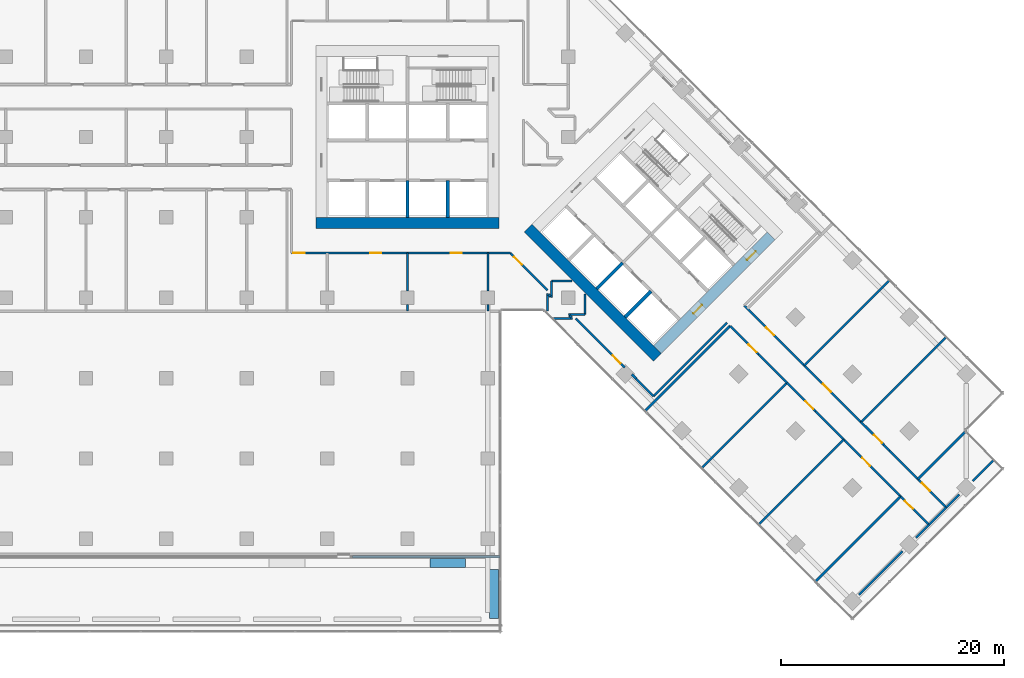
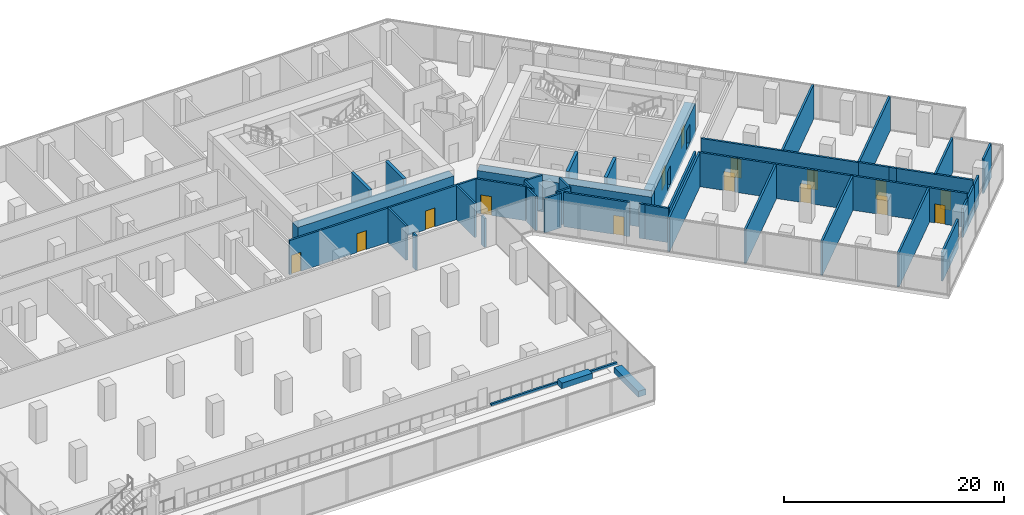
# One storey, part 21 of 27: 49 walls, 15 doors, 15 openings.
"""IFC4 building model written with IfcOpenShell, lengths in metres."""

from ifc_helpers import new_model, si_unit, direction, frame, frame_2d, origin, place, context, subcontext, project, spatial, polyline, rectangle, outline, extrude, material, layer, layer_set, type_object, element, fill, save


model = new_model("IFC4")

# Units and contexts
model_context = context("Model", 3, precision=1e-05, world=origin(), true_north=direction((0.0, 1.0)))
body_context = subcontext(model_context, "Body", "Model", "MODEL_VIEW")
ifc_project = project(units=[si_unit("LENGTHUNIT", "METRE"), si_unit("AREAUNIT", "SQUARE_METRE"), si_unit("VOLUMEUNIT", "CUBIC_METRE"), si_unit("PLANEANGLEUNIT", "RADIAN"), si_unit("MASSUNIT", "GRAM", prefix="KILO")], contexts=[model_context])

# Site, building, storey
site_placement = place(None, origin())
site = spatial("IfcSite", under=ifc_project, at=site_placement, CompositionType="ELEMENT")
building_placement = place(site_placement, origin())
building = spatial("IfcBuilding", under=site, at=building_placement, Name="Windrow Commons", CompositionType="ELEMENT")
storey_placement = place(building_placement, frame((0.0, 0.0, 6.0)))
storey = spatial("IfcBuildingStorey", under=building, at=storey_placement, Name="L01", CompositionType="ELEMENT", Elevation=6.0)

# Wall, openings, doors
ifc_material_1 = material(Name="Blockwork partition", Category="masonry")
ifc_layer_1 = layer(ifc_material_1, 0.2)
ifc_layer_set_1 = layer_set([ifc_layer_1], Name="IW-CORRIDOR-200")
wall_type_1 = type_object("IfcWallType", Name="IW-CORRIDOR-200", PredefinedType="PARTITIONING", material=ifc_layer_set_1)
wall_1_placement = place(storey_placement, frame((54.4, 47.2, 0.0), z_axis=(0.0, 0.0, 1.0), x_axis=(1.0, 0.0, 0.0)))
wall_1 = element("IfcWall", 1, at=wall_1_placement, inside=storey, type_object=wall_type_1, Name="W-L01-W007", PredefinedType="PARTITIONING", context=body_context, shape_type="SweptSolid", body=[
    extrude(rectangle(XDim=19.618, YDim=0.2, at=frame_2d((9.809, 0.0))), origin(), (0.0, 0.0, 1.0), 3.8),
])
opening_1_placement = place(wall_1_placement, frame((0.1783, 0.0, 0.0)))
opening_1 = element("IfcOpeningElement", 2, at=opening_1_placement, cuts=wall_1, Name="Opening D310F", PredefinedType="OPENING", context=body_context, shape_type="SweptSolid", body=[
    extrude(rectangle(XDim=1.0, YDim=2.1, at=frame_2d((0.5, 1.05))), frame((0.0, 0.11, 0.0), z_axis=(0.0, -1.0, 0.0), x_axis=(1.0, 0.0, 0.0)), (0.0, 0.0, 1.0), 0.22),
])
opening_2_placement = place(wall_1_placement, frame((7.0625, 0.0, 0.0)))
opening_2 = element("IfcOpeningElement", 3, at=opening_2_placement, cuts=wall_1, Name="Opening D310F", PredefinedType="OPENING", context=body_context, shape_type="SweptSolid", body=[
    extrude(rectangle(XDim=1.0, YDim=2.1, at=frame_2d((0.5, 1.05))), frame((0.0, 0.11, 0.0), z_axis=(0.0, -1.0, 0.0), x_axis=(1.0, 0.0, 0.0)), (0.0, 0.0, 1.0), 0.22),
])
opening_3_placement = place(wall_1_placement, frame((14.2625, 0.0, 0.0)))
opening_3 = element("IfcOpeningElement", 4, at=opening_3_placement, cuts=wall_1, Name="Opening D310F", PredefinedType="OPENING", context=body_context, shape_type="SweptSolid", body=[
    extrude(rectangle(XDim=1.0, YDim=2.1, at=frame_2d((0.5, 1.05))), frame((0.0, 0.11, 0.0), z_axis=(0.0, -1.0, 0.0), x_axis=(1.0, 0.0, 0.0)), (0.0, 0.0, 1.0), 0.22),
])
ifc_material_2 = material(Name="Timber door leaf", Category="wood")
door_type_1 = type_object("IfcDoorType", Name="DT-AMENITY-1000", OperationType="SINGLE_SWING_LEFT", PredefinedType="DOOR", material=ifc_material_2)
door_1_placement = place(opening_1_placement, origin())
door_1 = element("IfcDoor", 5, at=door_1_placement, inside=storey, type_object=door_type_1, Name="D-L01-D010", OperationType="SINGLE_SWING_RIGHT", OverallHeight=2.1, OverallWidth=1.0, PredefinedType="DOOR", context=body_context, shape_type="SweptSolid", body=[
    extrude(rectangle(XDim=1.0, YDim=2.1, at=frame_2d((0.5, 1.05))), frame((0.0, 0.025, 0.0), z_axis=(0.0, -1.0, 0.0), x_axis=(1.0, 0.0, 0.0)), (0.0, 0.0, 1.0), 0.05),
])
fill(opening_1, door_1)
door_2_placement = place(opening_2_placement, origin())
door_2 = element("IfcDoor", 6, at=door_2_placement, inside=storey, type_object=door_type_1, Name="D-L01-D011", OperationType="SINGLE_SWING_LEFT", OverallHeight=2.1, OverallWidth=1.0, PredefinedType="DOOR", context=body_context, shape_type="SweptSolid", body=[
    extrude(rectangle(XDim=1.0, YDim=2.1, at=frame_2d((0.5, 1.05))), frame((0.0, 0.025, 0.0), z_axis=(0.0, -1.0, 0.0), x_axis=(1.0, 0.0, 0.0)), (0.0, 0.0, 1.0), 0.05),
])
fill(opening_2, door_2)
door_3_placement = place(opening_3_placement, origin())
door_3 = element("IfcDoor", 7, at=door_3_placement, inside=storey, type_object=door_type_1, Name="D-L01-D012", OperationType="SINGLE_SWING_LEFT", OverallHeight=2.1, OverallWidth=1.0, PredefinedType="DOOR", context=body_context, shape_type="SweptSolid", body=[
    extrude(rectangle(XDim=1.0, YDim=2.1, at=frame_2d((0.5, 1.05))), frame((0.0, 0.025, 0.0), z_axis=(0.0, -1.0, 0.0), x_axis=(1.0, 0.0, 0.0)), (0.0, 0.0, 1.0), 0.05),
])
fill(opening_3, door_3)

wall_2_placement = place(storey_placement, frame((94.9669, 42.5089, 0.0), z_axis=(0.0, 0.0, 1.0), x_axis=(0.7071067812, -0.7071067812, 0.0)))
wall_2 = element("IfcWall", 8, at=wall_2_placement, inside=storey, type_object=wall_type_1, Name="W-L01-W008", PredefinedType="PARTITIONING", context=body_context, shape_type="SweptSolid", body=[
    extrude(rectangle(XDim=14.7983, YDim=0.2, at=frame_2d((7.3991, 0.0))), origin(), (0.0, 0.0, 1.0), 3.8),
])
opening_4_placement = place(wall_2_placement, frame((2.7715, 0.0, 0.0)))
opening_4 = element("IfcOpeningElement", 9, at=opening_4_placement, cuts=wall_2, Name="Opening D310F", PredefinedType="OPENING", context=body_context, shape_type="SweptSolid", body=[
    extrude(rectangle(XDim=1.0, YDim=2.1, at=frame_2d((0.5, 1.05))), frame((0.0, 0.11, 0.0), z_axis=(0.0, -1.0, 0.0), x_axis=(1.0, 0.0, 0.0)), (0.0, 0.0, 1.0), 0.22),
])
opening_5_placement = place(wall_2_placement, frame((9.9715, 0.0, 0.0)))
opening_5 = element("IfcOpeningElement", 10, at=opening_5_placement, cuts=wall_2, Name="Opening D310F", PredefinedType="OPENING", context=body_context, shape_type="SweptSolid", body=[
    extrude(rectangle(XDim=1.0, YDim=2.1, at=frame_2d((0.5, 1.05))), frame((0.0, 0.11, 0.0), z_axis=(0.0, -1.0, 0.0), x_axis=(1.0, 0.0, 0.0)), (0.0, 0.0, 1.0), 0.22),
])
door_4_placement = place(opening_4_placement, origin())
door_4 = element("IfcDoor", 11, at=door_4_placement, inside=storey, type_object=door_type_1, Name="D-L01-D043", OperationType="SINGLE_SWING_RIGHT", OverallHeight=2.1, OverallWidth=1.0, PredefinedType="DOOR", context=body_context, shape_type="SweptSolid", body=[
    extrude(rectangle(XDim=1.0, YDim=2.1, at=frame_2d((0.5, 1.05))), frame((0.0, 0.025, 0.0), z_axis=(0.0, -1.0, 0.0), x_axis=(1.0, 0.0, 0.0)), (0.0, 0.0, 1.0), 0.05),
])
fill(opening_4, door_4)
door_5_placement = place(opening_5_placement, origin())
door_5 = element("IfcDoor", 12, at=door_5_placement, inside=storey, type_object=door_type_1, Name="D-L01-D044", OperationType="SINGLE_SWING_RIGHT", OverallHeight=2.1, OverallWidth=1.0, PredefinedType="DOOR", context=body_context, shape_type="SweptSolid", body=[
    extrude(rectangle(XDim=1.0, YDim=2.1, at=frame_2d((0.5, 1.05))), frame((0.0, 0.025, 0.0), z_axis=(0.0, -1.0, 0.0), x_axis=(1.0, 0.0, 0.0)), (0.0, 0.0, 1.0), 0.05),
])
fill(opening_5, door_5)

# Wall, opening, door
wall_3_placement = place(storey_placement, frame((108.9733, 25.4053, 0.0), z_axis=(0.0, 0.0, 1.0), x_axis=(-0.7072456519, 0.7069678831, 0.0)))
wall_3 = element("IfcWall", 13, at=wall_3_placement, inside=storey, type_object=wall_type_1, Name="W-L01-W014", PredefinedType="PARTITIONING", context=body_context, shape_type="SweptSolid", body=[
    extrude(rectangle(XDim=10.8003, YDim=0.2, at=frame_2d((5.4002, 0.0))), origin(), (0.0, 0.0, 1.0), 3.8),
])
opening_6_placement = place(wall_3_placement, frame((3.8628, 0.0, 0.0)))
opening_6 = element("IfcOpeningElement", 14, at=opening_6_placement, cuts=wall_3, Name="Opening D310F", PredefinedType="OPENING", context=body_context, shape_type="SweptSolid", body=[
    extrude(rectangle(XDim=1.0, YDim=2.1, at=frame_2d((0.5, 1.05))), frame((0.0, 0.11, 0.0), z_axis=(0.0, -1.0, 0.0), x_axis=(1.0, 0.0, 0.0)), (0.0, 0.0, 1.0), 0.22),
])
door_6_placement = place(opening_6_placement, origin())
door_6 = element("IfcDoor", 15, at=door_6_placement, inside=storey, type_object=door_type_1, Name="D-L01-D049", OperationType="SINGLE_SWING_LEFT", OverallHeight=2.1, OverallWidth=1.0, PredefinedType="DOOR", context=body_context, shape_type="SweptSolid", body=[
    extrude(rectangle(XDim=1.0, YDim=2.1, at=frame_2d((0.5, 1.05))), frame((0.0, 0.025, 0.0), z_axis=(0.0, -1.0, 0.0), x_axis=(1.0, 0.0, 0.0)), (0.0, 0.0, 1.0), 0.05),
])
fill(opening_6, door_6)

# Wall
wall_4_placement = place(storey_placement, frame((86.8356, 34.3824, 0.0), z_axis=(0.0, 0.0, 1.0), x_axis=(0.7071067812, 0.7071067812, 0.0)))
element("IfcWall", 16, at=wall_4_placement, inside=storey, type_object=wall_type_1, Name="W-L01-W032", PredefinedType="PARTITIONING", context=body_context, shape_type="SweptSolid", body=[
    extrude(rectangle(XDim=9.2999, YDim=0.2, at=frame_2d((4.6499, 0.0))), origin(), (0.0, 0.0, 1.0), 3.8),
])

# Wall, opening, door
wall_5_placement = place(storey_placement, frame((107.9769, 29.4989, 0.0), z_axis=(0.0, 0.0, 1.0), x_axis=(0.7071067812, -0.7071067812, 0.0)))
wall_5 = element("IfcWall", 17, at=wall_5_placement, inside=storey, type_object=wall_type_1, Name="W-L01-W036", PredefinedType="PARTITIONING", context=body_context, shape_type="SweptSolid", body=[
    extrude(rectangle(XDim=7.1983, YDim=0.2, at=frame_2d((3.5991, 0.0))), origin(), (0.0, 0.0, 1.0), 3.8),
])
opening_7_placement = place(wall_5_placement, frame((4.1063, 0.0, 0.0)))
opening_7 = element("IfcOpeningElement", 18, at=opening_7_placement, cuts=wall_5, Name="Opening D310F", PredefinedType="OPENING", context=body_context, shape_type="SweptSolid", body=[
    extrude(rectangle(XDim=1.0, YDim=2.1, at=frame_2d((0.5, 1.05))), frame((0.0, 0.11, 0.0), z_axis=(0.0, -1.0, 0.0), x_axis=(1.0, 0.0, 0.0)), (0.0, 0.0, 1.0), 0.22),
])
door_7_placement = place(opening_7_placement, origin())
door_7 = element("IfcDoor", 19, at=door_7_placement, inside=storey, type_object=door_type_1, Name="D-L01-D051", OperationType="SINGLE_SWING_RIGHT", OverallHeight=2.1, OverallWidth=1.0, PredefinedType="DOOR", context=body_context, shape_type="SweptSolid", body=[
    extrude(rectangle(XDim=1.0, YDim=2.1, at=frame_2d((0.5, 1.05))), frame((0.0, 0.025, 0.0), z_axis=(0.0, -1.0, 0.0), x_axis=(1.0, 0.0, 0.0)), (0.0, 0.0, 1.0), 0.05),
])
fill(opening_7, door_7)

wall_6_placement = place(storey_placement, frame((79.8651, 41.3471, 0.0), z_axis=(0.0, 0.0, 1.0), x_axis=(0.7071067812, -0.7071067812, 0.0)))
wall_6 = element("IfcWall", 20, at=wall_6_placement, inside=storey, type_object=wall_type_1, Name="W-L01-W039", PredefinedType="PARTITIONING", context=body_context, shape_type="SweptSolid", body=[
    extrude(rectangle(XDim=6.2056, YDim=0.2, at=frame_2d((3.1028, 0.0))), origin(), (0.0, 0.0, 1.0), 3.8),
])
opening_8_placement = place(wall_6_placement, frame((4.6916, 0.0, 0.0)))
opening_8 = element("IfcOpeningElement", 21, at=opening_8_placement, cuts=wall_6, Name="Opening D310F", PredefinedType="OPENING", context=body_context, shape_type="SweptSolid", body=[
    extrude(rectangle(XDim=1.0, YDim=2.1, at=frame_2d((0.5, 1.05))), frame((0.0, 0.11, 0.0), z_axis=(0.0, -1.0, 0.0), x_axis=(1.0, 0.0, 0.0)), (0.0, 0.0, 1.0), 0.22),
])
door_8_placement = place(opening_8_placement, origin())
door_8 = element("IfcDoor", 22, at=door_8_placement, inside=storey, type_object=door_type_1, Name="D-L01-D046", OperationType="SINGLE_SWING_RIGHT", OverallHeight=2.1, OverallWidth=1.0, PredefinedType="DOOR", context=body_context, shape_type="SweptSolid", body=[
    extrude(rectangle(XDim=1.0, YDim=2.1, at=frame_2d((0.5, 1.05))), frame((0.0, 0.025, 0.0), z_axis=(0.0, -1.0, 0.0), x_axis=(1.0, 0.0, 0.0)), (0.0, 0.0, 1.0), 0.05),
])
fill(opening_8, door_8)

wall_7_placement = place(storey_placement, frame((74.0151, 47.1971, 0.0), z_axis=(0.0, 0.0, 1.0), x_axis=(0.7071067812, -0.7071067812, 0.0)))
wall_7 = element("IfcWall", 23, at=wall_7_placement, inside=storey, type_object=wall_type_1, Name="W-L01-W057", PredefinedType="PARTITIONING", context=body_context, shape_type="SweptSolid", body=[
    extrude(rectangle(XDim=4.7122, YDim=0.2, at=frame_2d((2.3561, 0.0))), origin(), (0.0, 0.0, 1.0), 3.8),
])
opening_9_placement = place(wall_7_placement, frame((0.4676, 0.0, 0.0)))
opening_9 = element("IfcOpeningElement", 24, at=opening_9_placement, cuts=wall_7, Name="Opening D310F", PredefinedType="OPENING", context=body_context, shape_type="SweptSolid", body=[
    extrude(rectangle(XDim=1.0, YDim=2.1, at=frame_2d((0.5, 1.05))), frame((0.0, 0.11, 0.0), z_axis=(0.0, -1.0, 0.0), x_axis=(1.0, 0.0, 0.0)), (0.0, 0.0, 1.0), 0.22),
])
door_9_placement = place(opening_9_placement, origin())
door_9 = element("IfcDoor", 25, at=door_9_placement, inside=storey, type_object=door_type_1, Name="D-L01-D013", OperationType="SINGLE_SWING_LEFT", OverallHeight=2.1, OverallWidth=1.0, PredefinedType="DOOR", context=body_context, shape_type="SweptSolid", body=[
    extrude(rectangle(XDim=1.0, YDim=2.1, at=frame_2d((0.5, 1.05))), frame((0.0, 0.025, 0.0), z_axis=(0.0, -1.0, 0.0), x_axis=(1.0, 0.0, 0.0)), (0.0, 0.0, 1.0), 0.05),
])
fill(opening_9, door_9)

wall_8_placement = place(storey_placement, frame((93.6993, 40.6793, 0.0), z_axis=(0.0, 0.0, 1.0), x_axis=(0.7071067812, -0.7071067812, 0.0)))
wall_8 = element("IfcWall", 26, at=wall_8_placement, inside=storey, type_object=wall_type_1, Name="W-L01-W060", PredefinedType="PARTITIONING", context=body_context, shape_type="SweptSolid", body=[
    extrude(rectangle(XDim=3.6006, YDim=0.2, at=frame_2d((1.8003, 0.0))), origin(), (0.0, 0.0, 1.0), 3.8),
])
opening_10_placement = place(wall_8_placement, frame((2.3379, 0.0, 0.0)))
opening_10 = element("IfcOpeningElement", 27, at=opening_10_placement, cuts=wall_8, Name="Opening D310F", PredefinedType="OPENING", context=body_context, shape_type="SweptSolid", body=[
    extrude(rectangle(XDim=1.0, YDim=2.1, at=frame_2d((0.5, 1.05))), frame((0.0, 0.11, 0.0), z_axis=(0.0, -1.0, 0.0), x_axis=(1.0, 0.0, 0.0)), (0.0, 0.0, 1.0), 0.22),
])
door_10_placement = place(opening_10_placement, origin())
door_10 = element("IfcDoor", 28, at=door_10_placement, inside=storey, type_object=door_type_1, Name="D-L01-D047", OperationType="SINGLE_SWING_LEFT", OverallHeight=2.1, OverallWidth=1.0, PredefinedType="DOOR", context=body_context, shape_type="SweptSolid", body=[
    extrude(rectangle(XDim=1.0, YDim=2.1, at=frame_2d((0.5, 1.05))), frame((0.0, 0.025, 0.0), z_axis=(0.0, -1.0, 0.0), x_axis=(1.0, 0.0, 0.0)), (0.0, 0.0, 1.0), 0.05),
])
fill(opening_10, door_10)

wall_9_placement = place(storey_placement, frame((98.7832, 35.5812, 0.0), z_axis=(0.0, 0.0, 1.0), x_axis=(0.7071067812, -0.7071067812, 0.0)))
wall_9 = element("IfcWall", 29, at=wall_9_placement, inside=storey, type_object=wall_type_1, Name="W-L01-W061", PredefinedType="PARTITIONING", context=body_context, shape_type="SweptSolid", body=[
    extrude(rectangle(XDim=3.6006, YDim=0.2, at=frame_2d((1.8003, 0.0))), origin(), (0.0, 0.0, 1.0), 3.8),
])
opening_11_placement = place(wall_9_placement, frame((2.3381, 0.0, 0.0)))
opening_11 = element("IfcOpeningElement", 30, at=opening_11_placement, cuts=wall_9, Name="Opening D310F", PredefinedType="OPENING", context=body_context, shape_type="SweptSolid", body=[
    extrude(rectangle(XDim=1.0, YDim=2.1, at=frame_2d((0.5, 1.05))), frame((0.0, 0.11, 0.0), z_axis=(0.0, -1.0, 0.0), x_axis=(1.0, 0.0, 0.0)), (0.0, 0.0, 1.0), 0.22),
])
door_11_placement = place(opening_11_placement, origin())
door_11 = element("IfcDoor", 31, at=door_11_placement, inside=storey, type_object=door_type_1, Name="D-L01-D048", OperationType="SINGLE_SWING_LEFT", OverallHeight=2.1, OverallWidth=1.0, PredefinedType="DOOR", context=body_context, shape_type="SweptSolid", body=[
    extrude(rectangle(XDim=1.0, YDim=2.1, at=frame_2d((0.5, 1.05))), frame((0.0, 0.025, 0.0), z_axis=(0.0, -1.0, 0.0), x_axis=(1.0, 0.0, 0.0)), (0.0, 0.0, 1.0), 0.05),
])
fill(opening_11, door_11)

wall_10_placement = place(storey_placement, frame((108.971, 25.403, 0.0), z_axis=(0.0, 0.0, 1.0), x_axis=(0.7068288851, -0.7073845681, 0.0)))
wall_10 = element("IfcWall", 32, at=wall_10_placement, inside=storey, type_object=wall_type_1, Name="W-L01-W062", PredefinedType="PARTITIONING", context=body_context, shape_type="SweptSolid", body=[
    extrude(rectangle(XDim=3.5992, YDim=0.2, at=frame_2d((1.7996, 0.0))), origin(), (0.0, 0.0, 1.0), 3.8),
])
opening_12_placement = place(wall_10_placement, frame((0.5672, 0.0, 0.0)))
opening_12 = element("IfcOpeningElement", 33, at=opening_12_placement, cuts=wall_10, Name="Opening D310F", PredefinedType="OPENING", context=body_context, shape_type="SweptSolid", body=[
    extrude(rectangle(XDim=1.0, YDim=2.1, at=frame_2d((0.5, 1.05))), frame((0.0, 0.11, 0.0), z_axis=(0.0, -1.0, 0.0), x_axis=(1.0, 0.0, 0.0)), (0.0, 0.0, 1.0), 0.22),
])
door_12_placement = place(opening_12_placement, origin())
door_12 = element("IfcDoor", 34, at=door_12_placement, inside=storey, type_object=door_type_1, Name="D-L01-D050", OperationType="SINGLE_SWING_LEFT", OverallHeight=2.1, OverallWidth=1.0, PredefinedType="DOOR", context=body_context, shape_type="SweptSolid", body=[
    extrude(rectangle(XDim=1.0, YDim=2.1, at=frame_2d((0.5, 1.05))), frame((0.0, 0.025, 0.0), z_axis=(0.0, -1.0, 0.0), x_axis=(1.0, 0.0, 0.0)), (0.0, 0.0, 1.0), 0.05),
])
fill(opening_12, door_12)

# Wall
wall_11_placement = place(storey_placement, frame((96.2409, 38.1289, 0.0), z_axis=(0.0, 0.0, 1.0), x_axis=(0.7068288851, -0.7073845681, 0.0)))
element("IfcWall", 35, at=wall_11_placement, inside=storey, type_object=wall_type_1, Name="W-L01-W063", PredefinedType="PARTITIONING", context=body_context, shape_type="SweptSolid", body=[
    extrude(rectangle(XDim=3.5992, YDim=0.2, at=frame_2d((1.7996, 0.0))), origin(), (0.0, 0.0, 1.0), 3.8),
])

# Wall, opening, door
wall_12_placement = place(storey_placement, frame((105.4348, 32.0488, 0.0), z_axis=(0.0, 0.0, 1.0), x_axis=(0.7074545101, -0.7067588812, 0.0)))
wall_12 = element("IfcWall", 36, at=wall_12_placement, inside=storey, type_object=wall_type_1, Name="W-L01-W074", PredefinedType="PARTITIONING", context=body_context, shape_type="SweptSolid", body=[
    extrude(rectangle(XDim=2.8751, YDim=0.2, at=frame_2d((1.4376, 0.0))), origin(), (0.0, 0.0, 1.0), 3.8),
])
opening_13_placement = place(wall_12_placement, frame((1.6169, 0.0, 0.0)))
opening_13 = element("IfcOpeningElement", 37, at=opening_13_placement, cuts=wall_12, Name="Opening D310F", PredefinedType="OPENING", context=body_context, shape_type="SweptSolid", body=[
    extrude(rectangle(XDim=1.0, YDim=2.1, at=frame_2d((0.5, 1.05))), frame((0.0, 0.11, 0.0), z_axis=(0.0, -1.0, 0.0), x_axis=(1.0, 0.0, 0.0)), (0.0, 0.0, 1.0), 0.22),
])
door_13_placement = place(opening_13_placement, origin())
door_13 = element("IfcDoor", 38, at=door_13_placement, inside=storey, type_object=door_type_1, Name="D-L01-D045", OperationType="SINGLE_SWING_RIGHT", OverallHeight=2.1, OverallWidth=1.0, PredefinedType="DOOR", context=body_context, shape_type="SweptSolid", body=[
    extrude(rectangle(XDim=1.0, YDim=2.1, at=frame_2d((0.5, 1.05))), frame((0.0, 0.025, 0.0), z_axis=(0.0, -1.0, 0.0), x_axis=(1.0, 0.0, 0.0)), (0.0, 0.0, 1.0), 0.05),
])
fill(opening_13, door_13)

# Walls
wall_13_placement = place(storey_placement, frame((111.5135, 22.8565, 0.0), z_axis=(0.0, 0.0, 1.0), x_axis=(0.7071067812, 0.7071067812, 0.0)))
element("IfcWall", 39, at=wall_13_placement, inside=storey, type_object=wall_type_1, Name="W-L01-W079", PredefinedType="PARTITIONING", context=body_context, shape_type="SweptSolid", body=[
    extrude(rectangle(XDim=2.2005, YDim=0.2, at=frame_2d((1.1002, 0.0))), origin(), (0.0, 0.0, 1.0), 3.2),
])
wall_14_placement = place(storey_placement, frame((85.2835, 35.9395, 0.0), z_axis=(0.0, 0.0, 1.0), x_axis=(0.706651904, -0.7075613659, 0.0)))
element("IfcWall", 40, at=wall_14_placement, inside=storey, type_object=wall_type_1, Name="W-L01-W082", PredefinedType="PARTITIONING", context=body_context, shape_type="SweptSolid", body=[
    extrude(rectangle(XDim=2.1991, YDim=0.2, at=frame_2d((1.0996, 0.0))), origin(), (0.0, 0.0, 1.0), 3.8),
])
for number, where, z_axis, x_axis, name in (
    (41, (77.702, 44.7, 0.0), (0.0, 0.0, 1.0), (1.0, 0.0, 0.0), "W-L01-W101"),
    (42, (80.7, 41.702, 0.0), (0.0, 0.0, 1.0), (0.0, 1.0, 0.0), "W-L01-W102"),
):
    element("IfcWall", number, at=place(storey_placement, frame(where, z_axis=z_axis, x_axis=x_axis)), inside=storey, type_object=wall_type_1, Name=name, PredefinedType="PARTITIONING", context=body_context, shape_type="SweptSolid", body=[
        extrude(rectangle(XDim=1.814, YDim=0.2, at=frame_2d((0.907, 0.0))), origin(), (0.0, 0.0, 1.0), 3.8),
    ])
for number, where, z_axis, x_axis, name in (
    (43, (77.7, 43.236, 0.0), (0.0, 0.0, 1.0), (0.0, 1.0, 0.0), "W-L01-W113"),
    (44, (79.236, 41.7, 0.0), (0.0, 0.0, 1.0), (1.0, 0.0, 0.0), "W-L01-W114"),
):
    element("IfcWall", number, at=place(storey_placement, frame(where, z_axis=z_axis, x_axis=x_axis)), inside=storey, type_object=wall_type_1, Name=name, PredefinedType="PARTITIONING", context=body_context, shape_type="SweptSolid", body=[
        extrude(rectangle(XDim=1.464, YDim=0.2, at=frame_2d((0.732, 0.0))), origin(), (0.0, 0.0, 1.0), 3.8),
    ])
wall_15_placement = place(storey_placement, frame((107.4663, 30.0143, 0.0), z_axis=(0.0, 0.0, 1.0), x_axis=(0.7057270646, -0.7084838109, 0.0)))
element("IfcWall", 45, at=wall_15_placement, inside=storey, type_object=wall_type_1, Name="W-L01-W120", PredefinedType="PARTITIONING", context=body_context, shape_type="SweptSolid", body=[
    extrude(rectangle(XDim=0.7255, YDim=0.2, at=frame_2d((0.3628, 0.0))), origin(), (0.0, 0.0, 1.0), 3.8),
])
wall_16_placement = place(storey_placement, frame((84.8952, 36.3312, 0.0), z_axis=(0.0, 0.0, 1.0), x_axis=(0.7071067812, -0.7071067812, 0.0)))
element("IfcWall", 46, at=wall_16_placement, inside=storey, type_object=wall_type_1, Name="W-L01-W141", PredefinedType="PARTITIONING", context=body_context, shape_type="SweptSolid", body=[
    extrude(rectangle(XDim=0.5515, YDim=0.2, at=frame_2d((0.2757, 0.0))), origin(), (0.0, 0.0, 1.0), 3.8),
])
for number, where, z_axis, x_axis, name in (
    (47, (79.3246, 41.6048, 0.0), (0.0, 0.0, 1.0), (0.7071067812, -0.7071067812, 0.0), "W-L01-W142"),
    (48, (77.4457, 43.4837, 0.0), (0.0, 0.0, 1.0), (0.7071067812, -0.7071067812, 0.0), "W-L01-W143"),
):
    element("IfcWall", number, at=place(storey_placement, frame(where, z_axis=z_axis, x_axis=x_axis)), inside=storey, type_object=wall_type_1, Name=name, PredefinedType="PARTITIONING", context=body_context, shape_type="SweptSolid", body=[
        extrude(rectangle(XDim=0.225, YDim=0.2, at=frame_2d((0.1125, 0.0))), origin(), (0.0, 0.0, 1.0), 3.8),
    ])
ifc_material_3 = material(Name="Blockwork partition", Category="masonry")
ifc_layer_2 = layer(ifc_material_3, 0.2)
ifc_layer_set_2 = layer_set([ifc_layer_2], Name="IW-PARTY-200")
wall_type_2 = type_object("IfcWallType", Name="IW-PARTY-200", PredefinedType="PARTITIONING", material=ifc_layer_set_2)
for number, where, z_axis, x_axis, name in (
    (49, (100.3416, 37.1404, 0.0), (0.0, 0.0, 1.0), (0.7071067812, 0.7071067812, 0.0), "W-L01-W015"),
    (50, (105.4328, 32.0492, 0.0), (0.0, 0.0, 1.0), (0.7071067812, 0.7071067812, 0.0), "W-L01-W016"),
    (51, (86.0794, 33.0606, 0.0), (0.0, 0.0, 1.0), (0.7071067812, 0.7071067812, 0.0), "W-L01-W017"),
    (52, (101.3529, 17.7871, 0.0), (0.0, 0.0, 1.0), (0.7071067812, 0.7071067812, 0.0), "W-L01-W018"),
    (53, (96.2608, 22.8772, 0.0), (0.0, 0.0, 1.0), (0.7071067812, 0.7071067812, 0.0), "W-L01-W019"),
    (54, (91.1696, 27.9684, 0.0), (0.0, 0.0, 1.0), (0.7071067812, 0.7071067812, 0.0), "W-L01-W020"),
):
    element("IfcWall", number, at=place(storey_placement, frame(where, z_axis=z_axis, x_axis=x_axis)), inside=storey, type_object=wall_type_2, Name=name, PredefinedType="PARTITIONING", context=body_context, shape_type="SweptSolid", body=[
        extrude(rectangle(XDim=10.7707, YDim=0.2, at=frame_2d((5.3853, 0.0))), origin(), (0.0, 0.0, 1.0), 3.8),
    ])
wall_17_placement = place(storey_placement, frame((110.5239, 26.9581, 0.0), z_axis=(0.0, 0.0, 1.0), x_axis=(0.7071067812, 0.7071067812, 0.0)))
element("IfcWall", 55, at=wall_17_placement, inside=storey, type_object=wall_type_2, Name="W-L01-W047", PredefinedType="PARTITIONING", context=body_context, shape_type="SweptSolid", body=[
    extrude(rectangle(XDim=5.9708, YDim=0.2, at=frame_2d((2.9854, 0.0))), origin(), (0.0, 0.0, 1.0), 3.8),
])
wall_18_placement = place(storey_placement, frame((105.2555, 16.5985, 0.0), z_axis=(0.0, 0.0, 1.0), x_axis=(0.7071067812, 0.7071067812, 0.0)))
element("IfcWall", 56, at=wall_18_placement, inside=storey, type_object=wall_type_2, Name="W-L01-W051", PredefinedType="PARTITIONING", context=body_context, shape_type="SweptSolid", body=[
    extrude(rectangle(XDim=5.5041, YDim=0.2, at=frame_2d((2.7521, 0.0))), origin(), (0.0, 0.0, 1.0), 3.2),
])
for number, where, z_axis, x_axis, name in (
    (57, (64.8, 43.8, 0.0), (0.0, 0.0, 1.0), (0.0, 1.0, 0.0), "W-L01-W066"),
    (58, (72.0, 43.8, 0.0), (0.0, 0.0, 1.0), (0.0, 1.0, 0.0), "W-L01-W067"),
):
    element("IfcWall", number, at=place(storey_placement, frame(where, z_axis=z_axis, x_axis=x_axis)), inside=storey, type_object=wall_type_2, Name=name, PredefinedType="PARTITIONING", context=body_context, shape_type="SweptSolid", body=[
        extrude(rectangle(XDim=3.4, YDim=0.2, at=frame_2d((1.7, 0.0))), origin(), (0.0, 0.0, 1.0), 3.8),
    ])
wall_19_placement = place(storey_placement, frame((115.4375, 26.7805, 0.0), z_axis=(0.0, 0.0, 1.0), x_axis=(0.7071067812, 0.7071067812, 0.0)))
element("IfcWall", 59, at=wall_19_placement, inside=storey, type_object=wall_type_2, Name="W-L01-W077", PredefinedType="PARTITIONING", context=body_context, shape_type="SweptSolid", body=[
    extrude(rectangle(XDim=2.622, YDim=0.2, at=frame_2d((1.311, 0.0))), origin(), (0.0, 0.0, 1.0), 3.8),
])
wall_20_placement = place(storey_placement, frame((77.79, 41.35, 0.0), z_axis=(0.0, 0.0, 1.0), x_axis=(1.0, 0.0, 0.0)))
element("IfcWall", 60, at=wall_20_placement, inside=storey, type_object=wall_type_2, Name="W-L01-W103", PredefinedType="PARTITIONING", context=body_context, shape_type="SweptSolid", body=[
    extrude(rectangle(XDim=1.796, YDim=0.2, at=frame_2d((0.898, 0.0))), origin(), (0.0, 0.0, 1.0), 3.8),
])
for number, where, z_axis, x_axis, name in (
    (61, (110.3455, 21.6885, 0.0), (0.0, 0.0, 1.0), (0.7071067812, 0.7071067812, 0.0), "W-L01-W106"),
    (62, (113.0695, 24.4125, 0.0), (0.0, 0.0, 1.0), (0.7071067812, 0.7071067812, 0.0), "W-L01-W107"),
):
    element("IfcWall", number, at=place(storey_placement, frame(where, z_axis=z_axis, x_axis=x_axis)), inside=storey, type_object=wall_type_2, Name=name, PredefinedType="PARTITIONING", context=body_context, shape_type="SweptSolid", body=[
        extrude(rectangle(XDim=1.6518, YDim=0.2, at=frame_2d((0.8259, 0.0))), origin(), (0.0, 0.0, 1.0), 3.2),
    ])
wall_21_placement = place(storey_placement, frame((77.35, 42.0, 0.0), z_axis=(0.0, 0.0, 1.0), x_axis=(0.0, 1.0, 0.0)))
element("IfcWall", 63, at=wall_21_placement, inside=storey, type_object=wall_type_2, Name="W-L01-W108", PredefinedType="PARTITIONING", context=body_context, shape_type="SweptSolid", body=[
    extrude(rectangle(XDim=1.586, YDim=0.2, at=frame_2d((0.793, 0.0))), origin(), (0.0, 0.0, 1.0), 3.8),
])
wall_22_placement = place(storey_placement, frame((64.8, 42.0, 0.0), z_axis=(0.0, 0.0, 1.0), x_axis=(0.0, 1.0, 0.0)))
element("IfcWall", 64, at=wall_22_placement, inside=storey, type_object=wall_type_2, Name="W-L01-W127", PredefinedType="PARTITIONING", context=body_context, shape_type="SweptSolid", body=[
    extrude(rectangle(XDim=0.6, YDim=0.2, at=frame_2d((0.3, 0.0))), origin(), (0.0, 0.0, 1.0), 3.8),
])
wall_23_placement = place(storey_placement, frame((72.0, 42.0, 0.0), z_axis=(0.0, 0.0, 1.0), x_axis=(0.0, 1.0, 0.0)))
element("IfcWall", 65, at=wall_23_placement, inside=storey, type_object=wall_type_2, Name="W-L01-W128", PredefinedType="PARTITIONING", context=body_context, shape_type="SweptSolid", body=[
    extrude(rectangle(XDim=0.6, YDim=0.2, at=frame_2d((0.3, 0.0))), origin(), (0.0, 0.0, 1.0), 3.2),
])
ifc_material_4 = material(Name="Concrete C30/37 planter wall", Category="concrete")
ifc_layer_3 = layer(ifc_material_4, 0.8)
ifc_layer_set_3 = layer_set([ifc_layer_3], Name="Planter 800x600")
wall_type_3 = type_object("IfcWallType", Name="Planter 800x600", PredefinedType="SOLIDWALL", material=ifc_layer_set_3)
wall_24_placement = place(storey_placement, frame((72.55, 14.45, 0.0), z_axis=(0.0, 0.0, 1.0), x_axis=(0.0, 1.0, 0.0)))
element("IfcWall", 66, at=wall_24_placement, inside=storey, type_object=wall_type_3, Name="PLANTER TR-L01-1.3", PredefinedType="SOLIDWALL", context=body_context, shape_type="SweptSolid", body=[
    extrude(rectangle(XDim=4.4, YDim=0.8, at=frame_2d((2.2, 0.0))), origin(), (0.0, 0.0, 1.0), 0.65),
])
wall_25_placement = place(storey_placement, frame((70.0068, 19.45, 0.0), z_axis=(0.0, 0.0, 1.0), x_axis=(-1.0, 0.0, 0.0)))
element("IfcWall", 67, at=wall_25_placement, inside=storey, type_object=wall_type_3, Name="PLANTER TR-L01-1.1", PredefinedType="SOLIDWALL", context=body_context, shape_type="SweptSolid", body=[
    extrude(outline(polyline([(0.0, -0.4), (3.2136, -0.4), (3.2136, 0.4), (0.0, 0.4), (0.0, -0.4)])), origin(), (0.0, 0.0, 1.0), 0.65),
])
ifc_material_5 = material(Name="Concrete C60/75", Category="concrete")
ifc_layer_4 = layer(ifc_material_5, 1.0)
ifc_layer_set_4 = layer_set([ifc_layer_4], Name="RC CORE WALL 1000 C60/75")
wall_type_4 = type_object("IfcWallType", Name="RC CORE WALL 1000 C60/75", PredefinedType="SHEAR", material=ifc_layer_set_4)
for number, where, z_axis, x_axis, name in (
    (68, (56.6, 49.9, -0.4), (0.0, 0.0, 1.0), (1.0, 0.0, 0.0), "Core A wall outer-S"),
    (69, (75.5938, 49.4433, -0.4), (0.0, 0.0, 1.0), (0.7071037324, -0.70710983, 0.0), "Core B wall outer-S"),
):
    element("IfcWall", number, at=place(storey_placement, frame(where, z_axis=z_axis, x_axis=x_axis)), inside=storey, type_object=wall_type_4, Name=name, PredefinedType="SHEAR", context=body_context, shape_type="SweptSolid", body=[
        extrude(rectangle(XDim=16.4, YDim=1.0, at=frame_2d((8.2, 0.0))), origin(), (0.0, 0.0, 1.0), 3.5),
    ])

# Wall, openings, doors
wall_26_placement = place(storey_placement, frame((87.1903, 38.5538, -0.4), z_axis=(0.0, 0.0, 1.0), x_axis=(0.707103309, 0.7071102534, 0.0)))
wall_26 = element("IfcWall", 70, at=wall_26_placement, inside=storey, type_object=wall_type_4, Name="Core B wall outer-E", PredefinedType="SHEAR", context=body_context, shape_type="SweptSolid", body=[
    extrude(rectangle(XDim=14.4, YDim=1.0, at=frame_2d((7.2, 0.0))), origin(), (0.0, 0.0, 1.0), 3.5),
])
opening_14_placement = place(wall_26_placement, frame((4.55, 0.0, 0.4)))
opening_14 = element("IfcOpeningElement", 71, at=opening_14_placement, cuts=wall_26, Name="Opening D6", PredefinedType="OPENING", context=body_context, shape_type="SweptSolid", body=[
    extrude(rectangle(XDim=1.1, YDim=2.1, at=frame_2d((0.55, 1.05))), frame((0.0, 0.51, 0.0), z_axis=(0.0, -1.0, 0.0), x_axis=(1.0, 0.0, 0.0)), (0.0, 0.0, 1.0), 1.02),
])
opening_15_placement = place(wall_26_placement, frame((11.35, 0.0, 0.4)))
opening_15 = element("IfcOpeningElement", 72, at=opening_15_placement, cuts=wall_26, Name="Opening D7", PredefinedType="OPENING", context=body_context, shape_type="SweptSolid", body=[
    extrude(rectangle(XDim=1.1, YDim=2.1, at=frame_2d((0.55, 1.05))), frame((0.0, 0.51, 0.0), z_axis=(0.0, -1.0, 0.0), x_axis=(1.0, 0.0, 0.0)), (0.0, 0.0, 1.0), 1.02),
])
ifc_material_6 = material(Name="Steel fire door leaf", Category="steel")
door_type_2 = type_object("IfcDoorType", Name="Core lobby door 1100", OperationType="SINGLE_SWING_LEFT", PredefinedType="DOOR", material=ifc_material_6)
door_14_placement = place(opening_14_placement, origin())
door_14 = element("IfcDoor", 73, at=door_14_placement, inside=storey, type_object=door_type_2, Name="Lift lobby door", OperationType="DOUBLE_DOOR_SINGLE_SWING", OverallHeight=2.1, OverallWidth=1.1, PredefinedType="DOOR", context=body_context, shape_type="SweptSolid", body=[
    extrude(rectangle(XDim=1.1, YDim=2.1, at=frame_2d((0.55, 1.05))), frame((0.0, 0.025, 0.0), z_axis=(0.0, -1.0, 0.0), x_axis=(1.0, 0.0, 0.0)), (0.0, 0.0, 1.0), 0.05),
])
fill(opening_14, door_14)
ifc_material_7 = material(Name="Steel fire door leaf", Category="steel")
door_type_3 = type_object("IfcDoorType", Name="Stair door 1100", OperationType="SINGLE_SWING_LEFT", PredefinedType="DOOR", material=ifc_material_7)
door_15_placement = place(opening_15_placement, origin())
door_15 = element("IfcDoor", 74, at=door_15_placement, inside=storey, type_object=door_type_3, Name="Stair door", OperationType="SINGLE_SWING_RIGHT", OverallHeight=2.1, OverallWidth=1.1, PredefinedType="DOOR", context=body_context, shape_type="SweptSolid", body=[
    extrude(rectangle(XDim=1.1, YDim=2.1, at=frame_2d((0.55, 1.05))), frame((0.0, 0.025, 0.0), z_axis=(0.0, -1.0, 0.0), x_axis=(1.0, 0.0, 0.0)), (0.0, 0.0, 1.0), 0.05),
])
fill(opening_15, door_15)

# Walls
ifc_material_8 = material(Name="Concrete C60/75", Category="concrete")
ifc_layer_5 = layer(ifc_material_8, 0.3)
ifc_layer_set_5 = layer_set([ifc_layer_5], Name="RC SHAFT WALL 300 C60/75")
wall_type_5 = type_object("IfcWallType", Name="RC SHAFT WALL 300 C60/75", PredefinedType="SOLIDWALL", material=ifc_layer_set_5)
for number, where, z_axis, x_axis, name in (
    (75, (64.8, 50.4, 0.0), (0.0, 0.0, 1.0), (0.0, 1.0, 0.0), "Core A wall shaft-S2"),
    (76, (68.4, 50.4, 0.0), (0.0, 0.0, 1.0), (0.0, 1.0, 0.0), "Core A wall shaft-S3"),
):
    element("IfcWall", number, at=place(storey_placement, frame(where, z_axis=z_axis, x_axis=x_axis)), inside=storey, type_object=wall_type_5, Name=name, PredefinedType="SOLIDWALL", context=body_context, shape_type="SweptSolid", body=[
        extrude(rectangle(XDim=3.3, YDim=0.3, at=frame_2d((1.65, 0.0))), origin(), (0.0, 0.0, 1.0), 3.8),
    ])
for number, where, z_axis, x_axis, name in (
    (77, (81.7456, 43.9986, 0.0), (0.0, 0.0, 1.0), (0.7071067812, 0.7071067812, 0.0), "Core B wall shaft-S2"),
    (78, (84.2912, 41.453, 0.0), (0.0, 0.0, 1.0), (0.7071067812, 0.7071067812, 0.0), "Core B wall shaft-S3"),
):
    element("IfcWall", number, at=place(storey_placement, frame(where, z_axis=z_axis, x_axis=x_axis)), inside=storey, type_object=wall_type_5, Name=name, PredefinedType="SOLIDWALL", context=body_context, shape_type="SweptSolid", body=[
        extrude(rectangle(XDim=3.2999, YDim=0.3, at=frame_2d((1.65, 0.0))), origin(), (0.0, 0.0, 1.0), 3.8),
    ])
ifc_material_9 = material(Name="Brick masonry, red clay brick", Category="masonry")
ifc_layer_6 = layer(ifc_material_9, 0.2)
ifc_layer_set_6 = layer_set([ifc_layer_6], Name="Terrace edge parapet 200")
wall_type_6 = type_object("IfcWallType", Name="Terrace edge parapet 200", PredefinedType="PARAPET", material=ifc_layer_set_6)
wall_27_placement = place(storey_placement, frame((73.1, 20.0, 0.0), z_axis=(0.0, 0.0, 1.0), x_axis=(-1.0, 0.0, 0.0)))
element("IfcWall", 79, at=wall_27_placement, inside=storey, type_object=wall_type_6, Name="Terrace parapet TR-L01-1.1.1", PredefinedType="PARAPET", context=body_context, shape_type="SweptSolid", body=[
    extrude(outline(polyline([(0.0, -0.1), (13.23, -0.1), (13.23, 0.1), (0.0, 0.1), (0.0, -0.1)])), origin(), (0.0, 0.0, 1.0), 0.25),
])

save(model, "model.ifc")
